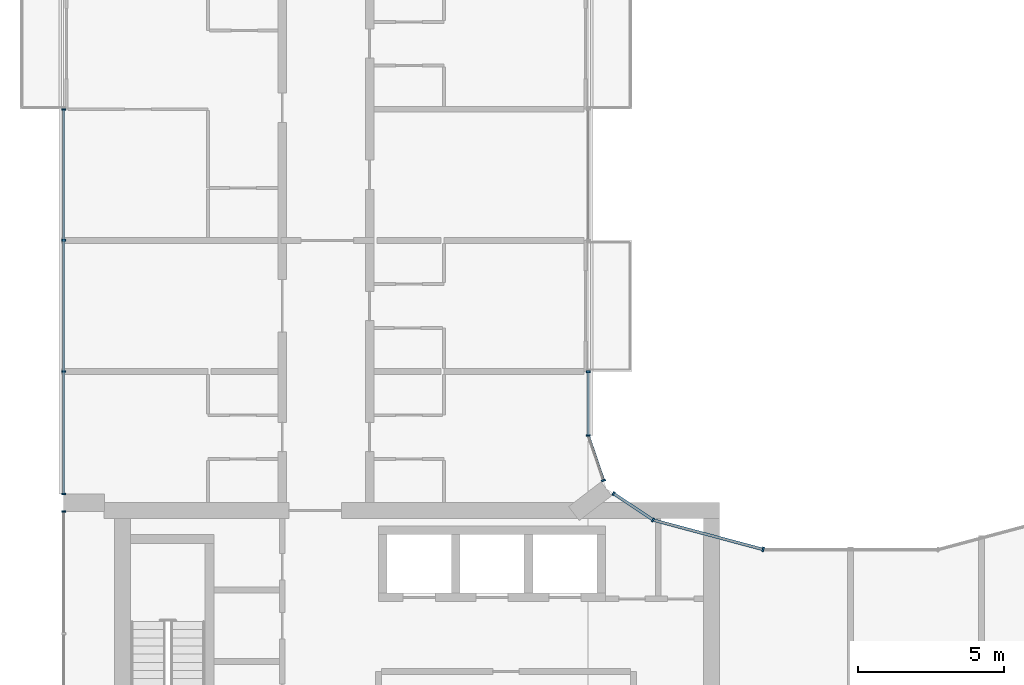
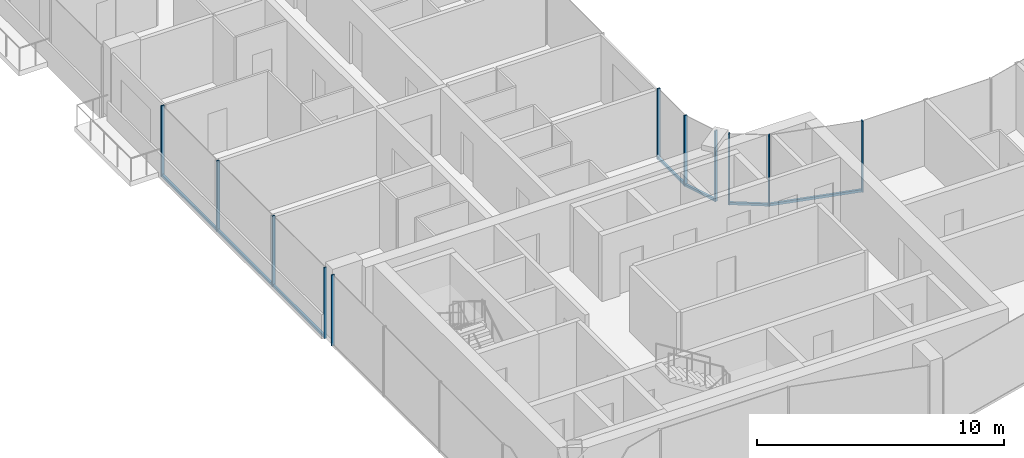
# One storey, part 4 of 15: 16 members, 6 elements without a shape of their own.
"""IFC4 building model written with IfcOpenShell, lengths in metres."""

from ifc_helpers import new_model, si_unit, direction, frame, origin, origin_2d, place, context, subcontext, project, spatial, rectangle, extrude, material, layer, layer_set, material_profile, profile_set, type_object, element, aggregate, save


model = new_model("IFC4")

# Units and contexts
model_context = context("Model", 3, precision=1e-05, world=origin(), true_north=direction((0.0, 1.0)))
body_context = subcontext(model_context, "Body", "Model", "MODEL_VIEW")
ifc_project = project(units=[si_unit("LENGTHUNIT", "METRE"), si_unit("AREAUNIT", "SQUARE_METRE"), si_unit("VOLUMEUNIT", "CUBIC_METRE"), si_unit("PLANEANGLEUNIT", "RADIAN"), si_unit("MASSUNIT", "GRAM", prefix="KILO")], contexts=[model_context])

# Site, building, storey
site_placement = place(None, origin())
site = spatial("IfcSite", under=ifc_project, at=site_placement, CompositionType="ELEMENT")
building_placement = place(site_placement, origin())
building = spatial("IfcBuilding", under=site, at=building_placement, Name="Plateau Cross Towers", CompositionType="ELEMENT")
storey_placement = place(building_placement, frame((0.0, 0.0, 177.89990234375)))
storey = spatial("IfcBuildingStorey", under=building, at=storey_placement, Name="L46", CompositionType="ELEMENT", Elevation=177.89990234375)

# Curtain wall, members
ifc_material_1 = material(Name="Dark low-iron glass", Category="glass")
ifc_layer_1 = layer(ifc_material_1, 0.239990234375)
ifc_layer_set_1 = layer_set([ifc_layer_1], Name="Dark low-iron glass")
curtain_wall_type_1 = type_object("IfcCurtainWallType", Name="Curtain wall flush unitised CW-B", PredefinedType="NOTDEFINED", material=ifc_layer_set_1)
curtain_wall_1_placement = place(storey_placement, origin())
curtain_wall_1 = element("IfcCurtainWall", 1, at=curtain_wall_1_placement, inside=storey, type_object=curtain_wall_type_1, Name="ENV/A/L46/A202_174", PredefinedType="NOTDEFINED")
ifc_material_2 = material(Name="Black anodised aluminium", Category="aluminium")
ifc_material_profile_1 = material_profile(ifc_material_2, rectangle(XDim=0.06005859375, YDim=0.139892578125, at=origin_2d()), Name="MULLION 60x140")
ifc_profile_set_1 = profile_set([ifc_material_profile_1], Name="Black anodised aluminium")
member_type_1 = type_object("IfcMemberType", Name="Mullion 60x140 flush unitised", PredefinedType="MULLION", material=ifc_profile_set_1)
member_1_placement = place(storey_placement, frame((20.223876953125, 17.404296875, -0.25), z_axis=(0.0, 0.0, 1.0), x_axis=(-0.831521253329, 0.555492938984, 0.0)))
member_1 = element("IfcMember", 2, at=member_1_placement, type_object=member_type_1, Name="CW-B mullion 1", PredefinedType="MULLION", context=body_context, shape_type="SweptSolid", body=[
    extrude(rectangle(XDim=0.06005859375, YDim=0.139892578125, at=origin_2d()), origin(), (0.0, 0.0, 1.0), 3.5),
])
member_2_placement = place(storey_placement, frame((18.86962890625, 18.30908203125, -0.25), z_axis=(0.0, 0.0, 1.0), x_axis=(-0.831521253329, 0.555492938984, 0.0)))
member_2 = element("IfcMember", 3, at=member_2_placement, type_object=member_type_1, Name="CW-B mullion 2", PredefinedType="MULLION", context=body_context, shape_type="SweptSolid", body=[
    extrude(rectangle(XDim=0.06005859375, YDim=0.139892578125, at=origin_2d()), origin(), (0.0, 0.0, 1.0), 3.5),
])

# Curtain wall, member
curtain_wall_2_placement = place(storey_placement, origin())
curtain_wall_2 = element("IfcCurtainWall", 4, at=curtain_wall_2_placement, inside=storey, type_object=curtain_wall_type_1, Name="ENV/A/L46/A185_188", PredefinedType="NOTDEFINED")
member_3_placement = place(storey_placement, frame((18.523681640625, 18.760009765625, -0.25), z_axis=(0.0, 0.0, 1.0), x_axis=(-0.321469161574, 0.94692004845, 0.0)))
member_3 = element("IfcMember", 5, at=member_3_placement, type_object=member_type_1, Name="CW-B mullion 1", PredefinedType="MULLION", context=body_context, shape_type="SweptSolid", body=[
    extrude(rectangle(XDim=0.06005859375, YDim=0.139892578125, at=origin_2d()), origin(), (0.0, 0.0, 1.0), 3.5),
])

# Curtain wall, members
curtain_wall_3_placement = place(storey_placement, origin())
curtain_wall_3 = element("IfcCurtainWall", 6, at=curtain_wall_3_placement, inside=storey, type_object=curtain_wall_type_1, Name="ENV/A/L46/A180_203", PredefinedType="NOTDEFINED")
member_4_placement = place(storey_placement, frame((18.0, 20.30224609375, -0.25), z_axis=(0.0, 0.0, 1.0), x_axis=(0.0, 1.0, 0.0)))
member_4 = element("IfcMember", 7, at=member_4_placement, type_object=member_type_1, Name="CW-B mullion 1", PredefinedType="MULLION", context=body_context, shape_type="SweptSolid", body=[
    extrude(rectangle(XDim=0.06005859375, YDim=0.139892578125, at=origin_2d()), origin(), (0.0, 0.0, 1.0), 3.5),
])
member_5_placement = place(storey_placement, frame((18.0, 22.489990234375, -0.25), z_axis=(0.0, 0.0, 1.0), x_axis=(0.0, 1.0, 0.0)))
member_5 = element("IfcMember", 8, at=member_5_placement, type_object=member_type_1, Name="CW-B mullion 2", PredefinedType="MULLION", context=body_context, shape_type="SweptSolid", body=[
    extrude(rectangle(XDim=0.06005859375, YDim=0.139892578125, at=origin_2d()), origin(), (0.0, 0.0, 1.0), 3.5),
])

curtain_wall_4_placement = place(storey_placement, origin())
curtain_wall_4 = element("IfcCurtainWall", 9, at=curtain_wall_4_placement, inside=storey, type_object=curtain_wall_type_1, Name="ENV/A/L46/A0_315", PredefinedType="NOTDEFINED")
member_6_placement = place(storey_placement, frame((0.0, 31.489990234375, -0.25), z_axis=(0.0, 0.0, 1.0), x_axis=(0.0, -1.0, 0.0)))
member_6 = element("IfcMember", 10, at=member_6_placement, type_object=member_type_1, Name="CW-B mullion 1", PredefinedType="MULLION", context=body_context, shape_type="SweptSolid", body=[
    extrude(rectangle(XDim=0.06005859375, YDim=0.139892578125, at=origin_2d()), origin(), (0.0, 0.0, 1.0), 3.5),
])
member_7_placement = place(storey_placement, frame((0.0, 27.0, -0.25), z_axis=(0.0, 0.0, 1.0), x_axis=(0.0, -1.0, 0.0)))
member_7 = element("IfcMember", 11, at=member_7_placement, type_object=member_type_1, Name="CW-B mullion 2", PredefinedType="MULLION", context=body_context, shape_type="SweptSolid", body=[
    extrude(rectangle(XDim=0.06005859375, YDim=0.139892578125, at=origin_2d()), origin(), (0.0, 0.0, 1.0), 3.5),
])
member_8_placement = place(storey_placement, frame((0.0, 22.5, -0.25), z_axis=(0.0, 0.0, 1.0), x_axis=(0.0, -1.0, 0.0)))
member_8 = element("IfcMember", 12, at=member_8_placement, type_object=member_type_1, Name="CW-B mullion 3", PredefinedType="MULLION", context=body_context, shape_type="SweptSolid", body=[
    extrude(rectangle(XDim=0.06005859375, YDim=0.139892578125, at=origin_2d()), origin(), (0.0, 0.0, 1.0), 3.5),
])
member_9_placement = place(storey_placement, frame((0.0, 18.300048828125, -0.25), z_axis=(0.0, 0.0, 1.0), x_axis=(0.0, -1.0, 0.0)))
member_9 = element("IfcMember", 13, at=member_9_placement, type_object=member_type_1, Name="CW-B mullion 4", PredefinedType="MULLION", context=body_context, shape_type="SweptSolid", body=[
    extrude(rectangle(XDim=0.06005859375, YDim=0.139892578125, at=origin_2d()), origin(), (0.0, 0.0, 1.0), 3.5),
])

# Curtain wall, member
curtain_wall_5_placement = place(storey_placement, origin())
curtain_wall_5 = element("IfcCurtainWall", 14, at=curtain_wall_5_placement, inside=storey, type_object=curtain_wall_type_1, Name="ENV/A/L46/A0_177", PredefinedType="NOTDEFINED")
member_10_placement = place(storey_placement, frame((0.0, 17.699951171875, -0.25), z_axis=(0.0, 0.0, 1.0), x_axis=(0.0, -1.0, 0.0)))
member_10 = element("IfcMember", 15, at=member_10_placement, type_object=member_type_1, Name="CW-B mullion 1", PredefinedType="MULLION", context=body_context, shape_type="SweptSolid", body=[
    extrude(rectangle(XDim=0.06005859375, YDim=0.139892578125, at=origin_2d()), origin(), (0.0, 0.0, 1.0), 3.5),
])
aggregate(curtain_wall_5, [member_10])

ifc_layer_2 = layer(ifc_material_1, 0.260009765625)
ifc_layer_set_2 = layer_set([ifc_layer_2], Name="Dark low-iron glass")
curtain_wall_type_2 = type_object("IfcCurtainWallType", Name="Curtain wall fluted unitised CW-A", PredefinedType="NOTDEFINED", material=ifc_layer_set_2)
curtain_wall_6_placement = place(storey_placement, origin())
curtain_wall_6 = element("IfcCurtainWall", 16, at=curtain_wall_6_placement, inside=storey, type_object=curtain_wall_type_2, Name="ENV/A/L46/A240_164", PredefinedType="NOTDEFINED")
ifc_material_profile_2 = material_profile(ifc_material_2, rectangle(XDim=0.06005859375, YDim=0.159912109375, at=origin_2d()), Name="MULLION 60x160")
ifc_profile_set_2 = profile_set([ifc_material_profile_2], Name="Black anodised aluminium")
member_type_2 = type_object("IfcMemberType", Name="Mullion 60x160 fluted unitised", PredefinedType="MULLION", material=ifc_profile_set_2)
member_11_placement = place(storey_placement, frame((24.0, 16.39306640625, -0.25), z_axis=(0.0, 0.0, 1.0), x_axis=(-0.965957995816, 0.258698956933, 0.0)))
member_11 = element("IfcMember", 17, at=member_11_placement, type_object=member_type_2, Name="CW-A mullion 1", PredefinedType="MULLION", context=body_context, shape_type="SweptSolid", body=[
    extrude(rectangle(XDim=0.06005859375, YDim=0.159912109375, at=origin_2d()), origin(), (0.0, 0.0, 1.0), 3.5),
])

# Member
ifc_material_profile_3 = material_profile(ifc_material_2, rectangle(XDim=0.10009765625, YDim=0.1201171875, at=origin_2d()), Name="TRANSOM 100x120")
ifc_profile_set_3 = profile_set([ifc_material_profile_3], Name="Black anodised aluminium")
member_type_3 = type_object("IfcMemberType", Name="Transom 100x120 flush unitised", PredefinedType="USERDEFINED", material=ifc_profile_set_3)
member_12_placement = place(storey_placement, frame((20.223876953125, 17.404296875, -0.18994140625), z_axis=(-0.831496402487, 0.555530136582, 0.0), x_axis=(-0.555530136582, -0.831496402487, 0.0)))
member_12 = element("IfcMember", 18, at=member_12_placement, type_object=member_type_3, Name="CW-B transom", ObjectType="TRANSOM", PredefinedType="USERDEFINED", context=body_context, shape_type="SweptSolid", body=[
    extrude(rectangle(XDim=0.10009765625, YDim=0.1201171875, at=origin_2d()), origin(), (0.0, 0.0, 1.0), 1.628662109375),
])

aggregate(curtain_wall_1, [member_1, member_2, member_12])

member_13_placement = place(storey_placement, frame((18.523681640625, 18.760009765625, -0.18994140625), z_axis=(-0.321529174838, 0.946899672472, 0.0), x_axis=(-0.946899672472, -0.321529174838, 0.0)))
member_13 = element("IfcMember", 19, at=member_13_placement, type_object=member_type_3, Name="CW-B transom", ObjectType="TRANSOM", PredefinedType="USERDEFINED", context=body_context, shape_type="SweptSolid", body=[
    extrude(rectangle(XDim=0.10009765625, YDim=0.1201171875, at=origin_2d()), origin(), (0.0, 0.0, 1.0), 1.628662109375),
])

aggregate(curtain_wall_2, [member_3, member_13])

member_14_placement = place(storey_placement, frame((18.0, 20.30224609375, -0.18994140625), z_axis=(0.0, 1.0, 0.0), x_axis=(-1.0, 0.0, 0.0)))
member_14 = element("IfcMember", 20, at=member_14_placement, type_object=member_type_3, Name="CW-B transom", ObjectType="TRANSOM", PredefinedType="USERDEFINED", context=body_context, shape_type="SweptSolid", body=[
    extrude(rectangle(XDim=0.10009765625, YDim=0.1201171875, at=origin_2d()), origin(), (0.0, 0.0, 1.0), 2.187744140625),
])

aggregate(curtain_wall_3, [member_4, member_5, member_14])

member_15_placement = place(storey_placement, frame((0.0, 31.489990234375, -0.18994140625), z_axis=(0.0, -1.0, 0.0), x_axis=(1.0, 0.0, 0.0)))
member_15 = element("IfcMember", 21, at=member_15_placement, type_object=member_type_3, Name="CW-B transom", ObjectType="TRANSOM", PredefinedType="USERDEFINED", context=body_context, shape_type="SweptSolid", body=[
    extrude(rectangle(XDim=0.10009765625, YDim=0.1201171875, at=origin_2d()), origin(), (0.0, 0.0, 1.0), 13.18994140625),
])

aggregate(curtain_wall_4, [member_6, member_7, member_8, member_9, member_15])

ifc_material_profile_4 = material_profile(ifc_material_2, rectangle(XDim=0.10009765625, YDim=0.1201171875, at=origin_2d()), Name="TRANSOM 100x120")
ifc_profile_set_4 = profile_set([ifc_material_profile_4], Name="Black anodised aluminium")
member_type_4 = type_object("IfcMemberType", Name="Transom 100x120 fluted unitised", PredefinedType="USERDEFINED", material=ifc_profile_set_4)
member_16_placement = place(storey_placement, frame((24.0, 16.39306640625, -0.18994140625), z_axis=(-0.965962822393, 0.25868093427, 0.0), x_axis=(-0.25868093427, -0.965962822393, 0.0)))
member_16 = element("IfcMember", 22, at=member_16_placement, type_object=member_type_4, Name="CW-A transom", ObjectType="TRANSOM", PredefinedType="USERDEFINED", context=body_context, shape_type="SweptSolid", body=[
    extrude(rectangle(XDim=0.10009765625, YDim=0.1201171875, at=origin_2d()), origin(), (0.0, 0.0, 1.0), 3.9091796875),
])

aggregate(curtain_wall_6, [member_11, member_16])

save(model, "model.ifc")
